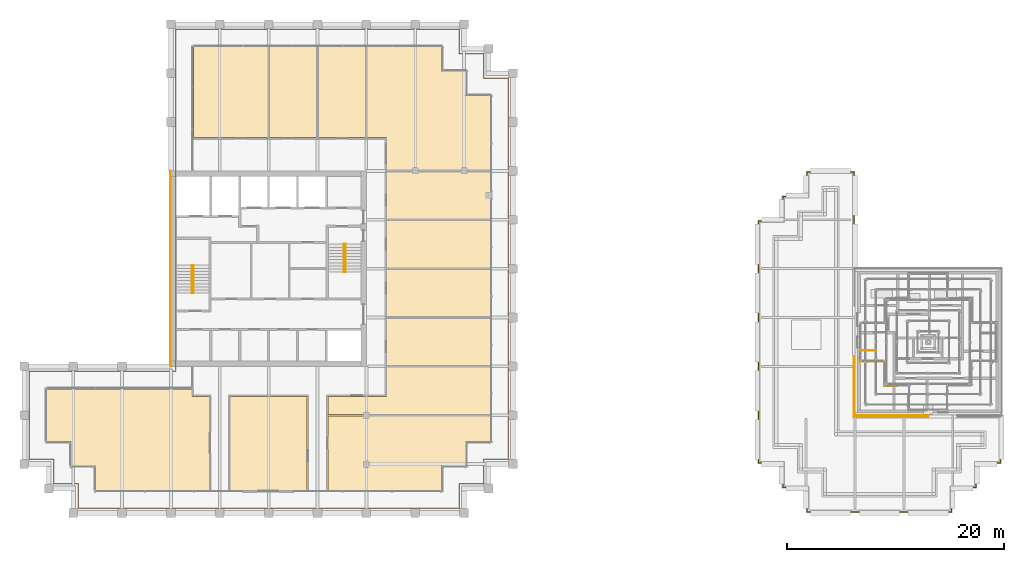
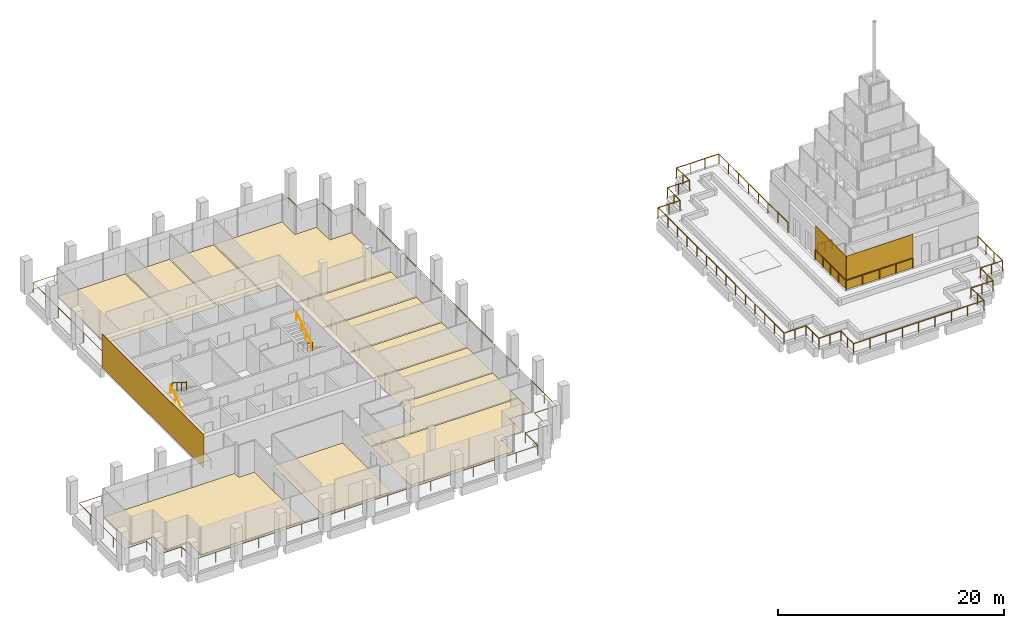
# One storey, part 61 of 62: 15 coverings, 9 railings.
"""IFC4 building model written with IfcOpenShell, lengths in metres."""

from ifc_helpers import new_model, si_unit, direction, frame, origin, origin_2d, place, context, subcontext, project, spatial, polyline, rectangle, circle, outline, extrude, source, transform, mapped, material, layer, layer_set, type_object, element, save


model = new_model("IFC4")

# Units and contexts
model_context = context("Model", 3, precision=1e-05, world=origin(), true_north=direction((0.0, 1.0)))
body_context = subcontext(model_context, "Body", "Model", "MODEL_VIEW")
ifc_project = project(units=[si_unit("LENGTHUNIT", "METRE"), si_unit("AREAUNIT", "SQUARE_METRE"), si_unit("VOLUMEUNIT", "CUBIC_METRE"), si_unit("PLANEANGLEUNIT", "RADIAN"), si_unit("MASSUNIT", "GRAM", prefix="KILO")], contexts=[model_context])

# Site, building, storey
site_placement = place(None, origin())
site = spatial("IfcSite", under=ifc_project, at=site_placement, CompositionType="ELEMENT")
building_placement = place(site_placement, origin())
building = spatial("IfcBuilding", under=site, at=building_placement, Name="Altepetl Exchange Towers", CompositionType="ELEMENT")
storey_placement = place(building_placement, frame((0.0, 0.0, 210.0)))
storey = spatial("IfcBuildingStorey", under=building, at=storey_placement, Name="L53", CompositionType="ELEMENT", Elevation=210.0)

# Coverings
ifc_material_1 = material(Name="Carpet tile")
ifc_layer_1 = layer(ifc_material_1, 0.02001953125)
ifc_layer_set_1 = layer_set([ifc_layer_1], Name="Carpet tile")
covering_type_1 = type_object("IfcCoveringType", Name="Carpet tile floor", PredefinedType="FLOORING", material=ifc_layer_set_1)
covering_1_placement = place(storey_placement, origin())
element("IfcCovering", 1, at=covering_1_placement, inside=storey, type_object=covering_type_1, Name="Family office floor finish A53.04", PredefinedType="FLOORING", context=body_context, shape_type="SweptSolid", body=[
    extrude(outline(polyline([(69.9375, 40.4375), (60.362548828125, 40.4375), (60.362548828125, 37.737548828125), (54.96240234375, 37.737548828125), (54.96240234375, 36.0625), (69.9375, 36.0625), (69.9375, 40.4375)])), origin(), (0.0, 0.0, 1.0), 0.02001953125),
])
covering_2_placement = place(storey_placement, origin())
element("IfcCovering", 2, at=covering_2_placement, inside=storey, type_object=covering_type_1, Name="Open office floor finish A53.05", PredefinedType="FLOORING", context=body_context, shape_type="SweptSolid", body=[
    extrude(outline(polyline([(69.9375, 44.9375), (60.362548828125, 44.9375), (60.362548828125, 40.5625), (69.9375, 40.5625), (69.9375, 44.9375)])), origin(), (0.0, 0.0, 1.0), 0.02001953125),
])
covering_3_placement = place(storey_placement, origin())
element("IfcCovering", 3, at=covering_3_placement, inside=storey, type_object=covering_type_1, Name="Conference room floor finish A53.06", PredefinedType="FLOORING", context=body_context, shape_type="SweptSolid", body=[
    extrude(outline(polyline([(69.9375, 49.4375), (60.362548828125, 49.4375), (60.362548828125, 45.0625), (69.9375, 45.0625), (69.9375, 49.4375)])), origin(), (0.0, 0.0, 1.0), 0.02001953125),
])
covering_4_placement = place(storey_placement, origin())
element("IfcCovering", 4, at=covering_4_placement, inside=storey, type_object=covering_type_1, Name="Open office floor finish A53.07", PredefinedType="FLOORING", context=body_context, shape_type="SweptSolid", body=[
    extrude(outline(polyline([(69.9375, 53.9375), (60.362548828125, 53.9375), (60.362548828125, 49.5625), (69.9375, 49.5625), (69.9375, 53.9375)])), origin(), (0.0, 0.0, 1.0), 0.02001953125),
])
covering_5_placement = place(storey_placement, origin())
element("IfcCovering", 5, at=covering_5_placement, inside=storey, type_object=covering_type_1, Name="Conference room floor finish A53.08", PredefinedType="FLOORING", context=body_context, shape_type="SweptSolid", body=[
    extrude(outline(polyline([(69.9375, 58.4375), (60.362548828125, 58.4375), (60.362548828125, 54.0625), (69.9375, 54.0625), (69.9375, 58.4375)])), origin(), (0.0, 0.0, 1.0), 0.02001953125),
])
covering_6_placement = place(storey_placement, origin())
element("IfcCovering", 6, at=covering_6_placement, inside=storey, type_object=covering_type_1, Name="Quiet room floor finish A53.10", PredefinedType="FLOORING", context=body_context, shape_type="SweptSolid", body=[
    extrude(outline(polyline([(58.4375, 61.5625), (58.4375, 69.9375), (54.0625, 69.9375), (54.0625, 61.5625), (58.4375, 61.5625)])), origin(), (0.0, 0.0, 1.0), 0.02001953125),
])
covering_7_placement = place(storey_placement, origin())
element("IfcCovering", 7, at=covering_7_placement, inside=storey, type_object=covering_type_1, Name="Pantry floor finish A53.11", PredefinedType="FLOORING", context=body_context, shape_type="SweptSolid", body=[
    extrude(outline(polyline([(53.9375, 61.5625), (53.9375, 69.9375), (49.5625, 69.9375), (49.5625, 61.5625), (53.9375, 61.5625)])), origin(), (0.0, 0.0, 1.0), 0.02001953125),
])
covering_8_placement = place(storey_placement, origin())
element("IfcCovering", 8, at=covering_8_placement, inside=storey, type_object=covering_type_1, Name="Open office floor finish A53.12", PredefinedType="FLOORING", context=body_context, shape_type="SweptSolid", body=[
    extrude(outline(polyline([(49.4375, 61.5625), (49.4375, 69.9375), (42.5625, 69.9375), (42.5625, 61.5625), (49.4375, 61.5625)])), origin(), (0.0, 0.0, 1.0), 0.02001953125),
])
ifc_material_2 = material(Name="Cantera stone", Category="masonry")
ifc_layer_2 = layer(ifc_material_2, 0.030029296875)
ifc_layer_set_2 = layer_set([ifc_layer_2], Name="Cantera stone")
covering_type_2 = type_object("IfcCoveringType", Name="Polished stone floor", PredefinedType="FLOORING", material=ifc_layer_set_2)
covering_9_placement = place(storey_placement, origin())
element("IfcCovering", 9, at=covering_9_placement, inside=storey, type_object=covering_type_2, Name="Library floor finish A53.01", PredefinedType="FLOORING", context=body_context, shape_type="SweptSolid", body=[
    extrude(outline(polyline([(31.3125, 33.5625), (31.3125, 31.3125), (33.5625, 31.3125), (33.5625, 29.0625), (44.03759765625, 29.0625), (44.03759765625, 37.737548828125), (42.4375, 37.737548828125), (42.4375, 38.4375), (29.0625, 38.4375), (29.0625, 33.5625), (31.3125, 33.5625)])), origin(), (0.0, 0.0, 1.0), 0.030029296875),
])
covering_10_placement = place(storey_placement, origin())
element("IfcCovering", 10, at=covering_10_placement, inside=storey, type_object=covering_type_2, Name="Library floor finish A53.02", PredefinedType="FLOORING", context=body_context, shape_type="SweptSolid", body=[
    extrude(outline(polyline([(45.96240234375, 37.737548828125), (45.96240234375, 29.0625), (53.03759765625, 29.0625), (53.03759765625, 37.737548828125), (45.96240234375, 37.737548828125)])), origin(), (0.0, 0.0, 1.0), 0.030029296875),
])
covering_11_placement = place(storey_placement, origin())
element("IfcCovering", 11, at=covering_11_placement, inside=storey, type_object=covering_type_2, Name="Library floor finish A53.03", PredefinedType="FLOORING", context=body_context, shape_type="SweptSolid", body=[
    extrude(outline(polyline([(69.9375, 35.9375), (54.96240234375, 35.9375), (54.96240234375, 29.0625), (65.4375, 29.0625), (65.4375, 31.3125), (67.6875, 31.3125), (67.6875, 33.5625), (69.9375, 33.5625), (69.9375, 35.9375)])), origin(), (0.0, 0.0, 1.0), 0.030029296875),
])
covering_12_placement = place(storey_placement, origin())
element("IfcCovering", 12, at=covering_12_placement, inside=storey, type_object=covering_type_2, Name="Library floor finish A53.09", PredefinedType="FLOORING", context=body_context, shape_type="SweptSolid", body=[
    extrude(outline(polyline([(67.6875, 67.6875), (65.4375, 67.6875), (65.4375, 69.9375), (58.5625, 69.9375), (58.5625, 61.5625), (60.362548828125, 61.5625), (60.362548828125, 58.5625), (69.9375, 58.5625), (69.9375, 65.4375), (67.6875, 65.4375), (67.6875, 67.6875)])), origin(), (0.0, 0.0, 1.0), 0.030029296875),
])
ifc_material_3 = material(Name="Cantera limestone cladding", Category="masonry")
ifc_layer_3 = layer(ifc_material_3, 0.0400390625)
ifc_layer_set_3 = layer_set([ifc_layer_3], Name="Cantera limestone cladding")
covering_type_3 = type_object("IfcCoveringType", Name="Stone panel 40 cantera", PredefinedType="CLADDING", material=ifc_layer_set_3)
covering_13_placement = place(storey_placement, frame((40.47998046875, 49.5, 0.0), z_axis=(0.0, 0.0, 1.0), x_axis=(0.0, -1.0, 0.0)))
element("IfcCovering", 13, at=covering_13_placement, inside=storey, type_object=covering_type_3, Name="Stone cladding panel", PredefinedType="CLADDING", context=body_context, shape_type="SweptSolid", body=[
    extrude(rectangle(XDim=18.0, YDim=0.0400390625, at=origin_2d()), origin(), (0.0, 0.0, 1.0), 3.60009765625),
])
covering_14_placement = place(storey_placement, frame((106.89990234375, 35.97998046875, 0.0)))
element("IfcCovering", 14, at=covering_14_placement, inside=storey, type_object=covering_type_3, Name="Stone cladding panel", PredefinedType="CLADDING", context=body_context, shape_type="SweptSolid", body=[
    extrude(rectangle(XDim=6.800048828125, YDim=0.0400390625, at=origin_2d()), origin(), (0.0, 0.0, 1.0), 3.60009765625),
])
covering_15_placement = place(storey_placement, frame((103.47998046875, 38.71240234375, 0.0), z_axis=(0.0, 0.0, 1.0), x_axis=(0.0, -1.0, 0.0)))
element("IfcCovering", 15, at=covering_15_placement, inside=storey, type_object=covering_type_3, Name="Stone cladding panel", PredefinedType="CLADDING", context=body_context, shape_type="SweptSolid", body=[
    extrude(rectangle(XDim=5.425048828125, YDim=0.0400390625, at=origin_2d()), origin(), (0.0, 0.0, 1.0), 3.60009765625),
])

# Railings
ifc_material_4 = material(Name="Steel S355", Category="steel")
railing_type_1 = type_object("IfcRailingType", Name="Guard 1100 steel posts and rail", PredefinedType="GUARDRAIL", material=ifc_material_4)
shared_shape_1 = source(origin(), body_context, "Body", "SweptSolid", [
    extrude(circle(Radius=0.02099609375, at=origin_2d()), origin(), (0.0, 0.0, 1.0), 1.052001953125),
])
railing_1_placement = place(storey_placement, frame((40.949951171875, 40.050048828125, 0.0)))
element("IfcRailing", 16, at=railing_1_placement, inside=storey, type_object=railing_type_1, Name="Loggia guard", PredefinedType="GUARDRAIL", context=body_context, shape_type="SweptSolid", body=[
    extrude(circle(Radius=0.02392578125, at=origin_2d()), frame((0.0, 0.0, 1.076171875), z_axis=(-1.0, 0.0, 0.0), x_axis=(0.0, -1.0, 0.0)), (0.0, 0.0, 1.0), 13.5),
    extrude(circle(Radius=0.02392578125, at=origin_2d()), frame((-13.5, 0.0, 1.076171875), z_axis=(0.0, -1.0, 0.0), x_axis=(1.0, 0.0, 0.0)), (0.0, 0.0, 1.0), 8.10009765625),
    extrude(circle(Radius=0.02392578125, at=origin_2d()), frame((-13.5, -8.10009765625, 1.076171875), z_axis=(1.0, 0.0, 0.0), x_axis=(0.0, 1.0, 0.0)), (0.0, 0.0, 1.0), 2.25),
    extrude(circle(Radius=0.02392578125, at=origin_2d()), frame((-11.25, -8.10009765625, 1.076171875), z_axis=(0.0, -1.0, 0.0), x_axis=(1.0, 0.0, 0.0)), (0.0, 0.0, 1.0), 2.25),
    extrude(circle(Radius=0.02392578125, at=origin_2d()), frame((-11.25, -10.35009765625, 1.076171875), z_axis=(1.0, 0.0, 0.0), x_axis=(0.0, 1.0, 0.0)), (0.0, 0.0, 1.0), 2.25),
    extrude(circle(Radius=0.02392578125, at=origin_2d()), frame((-9.0, -10.35009765625, 1.076171875), z_axis=(0.0, -1.0, 0.0), x_axis=(1.0, 0.0, 0.0)), (0.0, 0.0, 1.0), 2.25),
    extrude(circle(Radius=0.02392578125, at=origin_2d()), frame((-9.0, -12.60009765625, 1.076171875), z_axis=(1.0, 0.0, 0.0), x_axis=(0.0, 1.0, 0.0)), (0.0, 0.0, 1.0), 35.10009765625),
    extrude(circle(Radius=0.02392578125, at=origin_2d()), frame((26.10009765625, -12.60009765625, 1.076171875), z_axis=(0.0, 1.0, 0.0), x_axis=(-1.0, 0.0, 0.0)), (0.0, 0.0, 1.0), 2.25),
    extrude(circle(Radius=0.02392578125, at=origin_2d()), frame((26.10009765625, -10.35009765625, 1.076171875), z_axis=(1.0, 0.0, 0.0), x_axis=(0.0, 1.0, 0.0)), (0.0, 0.0, 1.0), 2.25),
    extrude(circle(Radius=0.02392578125, at=origin_2d()), frame((28.35009765625, -10.35009765625, 1.076171875), z_axis=(0.0, 1.0, 0.0), x_axis=(-1.0, 0.0, 0.0)), (0.0, 0.0, 1.0), 2.25),
    extrude(circle(Radius=0.02392578125, at=origin_2d()), frame((28.35009765625, -8.10009765625, 1.076171875), z_axis=(1.0, 0.0, 0.0), x_axis=(0.0, 1.0, 0.0)), (0.0, 0.0, 1.0), 2.25),
    extrude(circle(Radius=0.02392578125, at=origin_2d()), frame((30.60009765625, -8.10009765625, 1.076171875), z_axis=(0.0, 1.0, 0.0), x_axis=(-1.0, 0.0, 0.0)), (0.0, 0.0, 1.0), 35.10009765625),
    extrude(circle(Radius=0.02392578125, at=origin_2d()), frame((30.60009765625, 27.0, 1.076171875), z_axis=(-1.0, 0.0, 0.0), x_axis=(0.0, -1.0, 0.0)), (0.0, 0.0, 1.0), 2.25),
    extrude(circle(Radius=0.02392578125, at=origin_2d()), frame((28.35009765625, 27.0, 1.076171875), z_axis=(0.0, 1.0, 0.0), x_axis=(-1.0, 0.0, 0.0)), (0.0, 0.0, 1.0), 2.25),
    extrude(circle(Radius=0.02392578125, at=origin_2d()), frame((28.35009765625, 29.25, 1.076171875), z_axis=(-1.0, 0.0, 0.0), x_axis=(0.0, -1.0, 0.0)), (0.0, 0.0, 1.0), 2.25),
    extrude(circle(Radius=0.02392578125, at=origin_2d()), frame((26.10009765625, 29.25, 1.076171875), z_axis=(0.0, 1.0, 0.0), x_axis=(-1.0, 0.0, 0.0)), (0.0, 0.0, 1.0), 2.25),
    extrude(circle(Radius=0.02392578125, at=origin_2d()), frame((26.10009765625, 31.5, 1.076171875), z_axis=(-1.0, 0.0, 0.0), x_axis=(0.0, -1.0, 0.0)), (0.0, 0.0, 1.0), 26.10009765625),
    extrude(circle(Radius=0.02392578125, at=origin_2d()), frame((0.0, 31.5, 1.076171875), z_axis=(0.0, -1.0, 0.0), x_axis=(1.0, 0.0, 0.0)), (0.0, 0.0, 1.0), 31.400146484375),
    mapped(shared_shape_1, transform((0.0, 0.0, 0.0))),
    mapped(shared_shape_1, transform((-2.25, 0.0, 0.0))),
    mapped(shared_shape_1, transform((-4.5, 0.0, 0.0))),
    mapped(shared_shape_1, transform((-6.75, 0.0, 0.0))),
    mapped(shared_shape_1, transform((-9.0, 0.0, 0.0))),
    mapped(shared_shape_1, transform((-11.25, 0.0, 0.0))),
    mapped(shared_shape_1, transform((-13.5, 0.0, 0.0))),
    mapped(shared_shape_1, transform((-13.5, -2.02490234375, 0.0))),
    mapped(shared_shape_1, transform((-13.5, -4.050048828125, 0.0))),
    mapped(shared_shape_1, transform((-13.5, -6.0751953125, 0.0))),
    mapped(shared_shape_1, transform((-13.5, -8.10009765625, 0.0))),
    mapped(shared_shape_1, transform((-11.25, -8.10009765625, 0.0))),
    mapped(shared_shape_1, transform((-11.25, -10.35009765625, 0.0))),
    mapped(shared_shape_1, transform((-9.0, -10.35009765625, 0.0))),
    mapped(shared_shape_1, transform((-9.0, -12.60009765625, 0.0))),
    mapped(shared_shape_1, transform((-6.80615234375, -12.60009765625, 0.0))),
    mapped(shared_shape_1, transform((-4.612548828125, -12.60009765625, 0.0))),
    mapped(shared_shape_1, transform((-2.418701171875, -12.60009765625, 0.0))),
    mapped(shared_shape_1, transform((-0.22509765625, -12.60009765625, 0.0))),
    mapped(shared_shape_1, transform((1.96875, -12.60009765625, 0.0))),
    mapped(shared_shape_1, transform((4.16259765625, -12.60009765625, 0.0))),
    mapped(shared_shape_1, transform((6.356201171875, -12.60009765625, 0.0))),
    mapped(shared_shape_1, transform((8.550048828125, -12.60009765625, 0.0))),
    mapped(shared_shape_1, transform((10.743896484375, -12.60009765625, 0.0))),
    mapped(shared_shape_1, transform((12.9375, -12.60009765625, 0.0))),
    mapped(shared_shape_1, transform((15.13134765625, -12.60009765625, 0.0))),
    mapped(shared_shape_1, transform((17.3251953125, -12.60009765625, 0.0))),
    mapped(shared_shape_1, transform((19.518798828125, -12.60009765625, 0.0))),
    mapped(shared_shape_1, transform((21.712646484375, -12.60009765625, 0.0))),
    mapped(shared_shape_1, transform((23.90625, -12.60009765625, 0.0))),
    mapped(shared_shape_1, transform((26.10009765625, -12.60009765625, 0.0))),
    mapped(shared_shape_1, transform((26.10009765625, -10.35009765625, 0.0))),
    mapped(shared_shape_1, transform((28.35009765625, -10.35009765625, 0.0))),
    mapped(shared_shape_1, transform((28.35009765625, -8.10009765625, 0.0))),
    mapped(shared_shape_1, transform((30.60009765625, -8.10009765625, 0.0))),
    mapped(shared_shape_1, transform((30.60009765625, -5.90625, 0.0))),
    mapped(shared_shape_1, transform((30.60009765625, -3.712646484375, 0.0))),
    mapped(shared_shape_1, transform((30.60009765625, -1.518798828125, 0.0))),
    mapped(shared_shape_1, transform((30.60009765625, 0.6748046875, 0.0))),
    mapped(shared_shape_1, transform((30.60009765625, 2.86865234375, 0.0))),
    mapped(shared_shape_1, transform((30.60009765625, 5.0625, 0.0))),
    mapped(shared_shape_1, transform((30.60009765625, 7.256103515625, 0.0))),
    mapped(shared_shape_1, transform((30.60009765625, 9.449951171875, 0.0))),
    mapped(shared_shape_1, transform((30.60009765625, 11.643798828125, 0.0))),
    mapped(shared_shape_1, transform((30.60009765625, 13.83740234375, 0.0))),
    mapped(shared_shape_1, transform((30.60009765625, 16.03125, 0.0))),
    mapped(shared_shape_1, transform((30.60009765625, 18.22509765625, 0.0))),
    mapped(shared_shape_1, transform((30.60009765625, 20.418701171875, 0.0))),
    mapped(shared_shape_1, transform((30.60009765625, 22.612548828125, 0.0))),
    mapped(shared_shape_1, transform((30.60009765625, 24.80615234375, 0.0))),
    mapped(shared_shape_1, transform((30.60009765625, 27.0, 0.0))),
    mapped(shared_shape_1, transform((28.35009765625, 27.0, 0.0))),
    mapped(shared_shape_1, transform((28.35009765625, 29.25, 0.0))),
    mapped(shared_shape_1, transform((26.10009765625, 29.25, 0.0))),
    mapped(shared_shape_1, transform((26.10009765625, 31.5, 0.0))),
    mapped(shared_shape_1, transform((23.925048828125, 31.5, 0.0))),
    mapped(shared_shape_1, transform((21.75, 31.5, 0.0))),
    mapped(shared_shape_1, transform((19.5751953125, 31.5, 0.0))),
    mapped(shared_shape_1, transform((17.400146484375, 31.5, 0.0))),
    mapped(shared_shape_1, transform((15.22509765625, 31.5, 0.0))),
    mapped(shared_shape_1, transform((13.050048828125, 31.5, 0.0))),
    mapped(shared_shape_1, transform((10.875, 31.5, 0.0))),
    mapped(shared_shape_1, transform((8.699951171875, 31.5, 0.0))),
    mapped(shared_shape_1, transform((6.52490234375, 31.5, 0.0))),
    mapped(shared_shape_1, transform((4.35009765625, 31.5, 0.0))),
    mapped(shared_shape_1, transform((2.175048828125, 31.5, 0.0))),
    mapped(shared_shape_1, transform((0.0, 31.5, 0.0))),
    mapped(shared_shape_1, transform((0.0, 29.257080078125, 0.0))),
    mapped(shared_shape_1, transform((0.0, 27.01416015625, 0.0))),
    mapped(shared_shape_1, transform((0.0, 24.771484375, 0.0))),
    mapped(shared_shape_1, transform((0.0, 22.528564453125, 0.0))),
    mapped(shared_shape_1, transform((0.0, 20.28564453125, 0.0))),
    mapped(shared_shape_1, transform((0.0, 18.042724609375, 0.0))),
    mapped(shared_shape_1, transform((0.0, 15.7998046875, 0.0))),
    mapped(shared_shape_1, transform((0.0, 13.55712890625, 0.0))),
    mapped(shared_shape_1, transform((0.0, 11.314208984375, 0.0))),
    mapped(shared_shape_1, transform((0.0, 9.0712890625, 0.0))),
    mapped(shared_shape_1, transform((0.0, 6.828369140625, 0.0))),
    mapped(shared_shape_1, transform((0.0, 4.585693359375, 0.0))),
    mapped(shared_shape_1, transform((0.0, 2.3427734375, 0.0))),
    mapped(shared_shape_1, transform((0.0, 0.099853515625, 0.0))),
])
railing_2_placement = place(storey_placement, frame((103.949951171875, 41.2275390625, 0.0)))
element("IfcRailing", 17, at=railing_2_placement, inside=storey, type_object=railing_type_1, Name="Loggia guard", PredefinedType="GUARDRAIL", context=body_context, shape_type="SweptSolid", body=[
    extrude(circle(Radius=0.02392578125, at=origin_2d()), frame((0.0, 0.0, 1.076171875), z_axis=(0.0, -1.0, 0.0), x_axis=(1.0, 0.0, 0.0)), (0.0, 0.0, 1.0), 0.277587890625),
    extrude(circle(Radius=0.02392578125, at=origin_2d()), frame((0.0, -0.277587890625, 1.076171875), z_axis=(1.0, 0.0, 0.0), x_axis=(0.0, 1.0, 0.0)), (0.0, 0.0, 1.0), 2.25),
    extrude(circle(Radius=0.02392578125, at=origin_2d()), frame((2.25, -0.277587890625, 1.076171875), z_axis=(0.0, -1.0, 0.0), x_axis=(1.0, 0.0, 0.0)), (0.0, 0.0, 1.0), 2.25),
    extrude(circle(Radius=0.02392578125, at=origin_2d()), frame((2.25, -2.527587890625, 1.076171875), z_axis=(1.0, 0.0, 0.0), x_axis=(0.0, 1.0, 0.0)), (0.0, 0.0, 1.0), 1.140625),
    mapped(shared_shape_1, transform((0.0, 0.0, 0.0))),
    mapped(shared_shape_1, transform((0.0, -0.277587890625, 0.0))),
    mapped(shared_shape_1, transform((2.25, -0.277587890625, 0.0))),
    mapped(shared_shape_1, transform((2.25, -2.527587890625, 0.0))),
    mapped(shared_shape_1, transform((3.390625, -2.527587890625, 0.0))),
])
railing_3_placement = place(storey_placement, frame((103.39990234375, 46.173583984375, 0.0)))
element("IfcRailing", 18, at=railing_3_placement, inside=storey, type_object=railing_type_1, Name="Terrace guard", PredefinedType="GUARDRAIL", context=body_context, shape_type="SweptSolid", body=[
    extrude(circle(Radius=0.02392578125, at=origin_2d()), frame((0.0, 0.0, 1.076171875), z_axis=(0.0, 1.0, 0.0), x_axis=(-1.0, 0.0, 0.0)), (0.0, 0.0, 1.0), 12.226318359375),
    extrude(circle(Radius=0.02392578125, at=origin_2d()), frame((0.0, 12.226318359375, 1.076171875), z_axis=(-1.0, 0.0, 0.0), x_axis=(0.0, -1.0, 0.0)), (0.0, 0.0, 1.0), 4.2998046875),
    extrude(circle(Radius=0.02392578125, at=origin_2d()), frame((-4.2998046875, 12.226318359375, 1.076171875), z_axis=(0.0, -1.0, 0.0), x_axis=(1.0, 0.0, 0.0)), (0.0, 0.0, 1.0), 2.25),
    extrude(circle(Radius=0.02392578125, at=origin_2d()), frame((-4.2998046875, 9.976318359375, 1.076171875), z_axis=(-1.0, 0.0, 0.0), x_axis=(0.0, -1.0, 0.0)), (0.0, 0.0, 1.0), 2.25),
    extrude(circle(Radius=0.02392578125, at=origin_2d()), frame((-6.5498046875, 9.976318359375, 1.076171875), z_axis=(0.0, -1.0, 0.0), x_axis=(1.0, 0.0, 0.0)), (0.0, 0.0, 1.0), 2.25),
    extrude(circle(Radius=0.02392578125, at=origin_2d()), frame((-6.5498046875, 7.726318359375, 1.076171875), z_axis=(-1.0, 0.0, 0.0), x_axis=(0.0, -1.0, 0.0)), (0.0, 0.0, 1.0), 2.25),
    extrude(circle(Radius=0.02392578125, at=origin_2d()), frame((-8.7998046875, 7.726318359375, 1.076171875), z_axis=(0.0, -1.0, 0.0), x_axis=(1.0, 0.0, 0.0)), (0.0, 0.0, 1.0), 22.2998046875),
    extrude(circle(Radius=0.02392578125, at=origin_2d()), frame((-8.7998046875, -14.573486328125, 1.076171875), z_axis=(1.0, 0.0, 0.0), x_axis=(0.0, 1.0, 0.0)), (0.0, 0.0, 1.0), 2.25),
    extrude(circle(Radius=0.02392578125, at=origin_2d()), frame((-6.5498046875, -14.573486328125, 1.076171875), z_axis=(0.0, -1.0, 0.0), x_axis=(1.0, 0.0, 0.0)), (0.0, 0.0, 1.0), 2.25),
    extrude(circle(Radius=0.02392578125, at=origin_2d()), frame((-6.5498046875, -16.823486328125, 1.076171875), z_axis=(1.0, 0.0, 0.0), x_axis=(0.0, 1.0, 0.0)), (0.0, 0.0, 1.0), 2.25),
    extrude(circle(Radius=0.02392578125, at=origin_2d()), frame((-4.2998046875, -16.823486328125, 1.076171875), z_axis=(0.0, -1.0, 0.0), x_axis=(1.0, 0.0, 0.0)), (0.0, 0.0, 1.0), 2.25),
    extrude(circle(Radius=0.02392578125, at=origin_2d()), frame((-4.2998046875, -19.073486328125, 1.076171875), z_axis=(1.0, 0.0, 0.0), x_axis=(0.0, 1.0, 0.0)), (0.0, 0.0, 1.0), 13.2998046875),
    extrude(circle(Radius=0.02392578125, at=origin_2d()), frame((9.0, -19.073486328125, 1.076171875), z_axis=(0.0, 1.0, 0.0), x_axis=(-1.0, 0.0, 0.0)), (0.0, 0.0, 1.0), 2.25),
    extrude(circle(Radius=0.02392578125, at=origin_2d()), frame((9.0, -16.823486328125, 1.076171875), z_axis=(1.0, 0.0, 0.0), x_axis=(0.0, 1.0, 0.0)), (0.0, 0.0, 1.0), 2.25),
    extrude(circle(Radius=0.02392578125, at=origin_2d()), frame((11.25, -16.823486328125, 1.076171875), z_axis=(0.0, 1.0, 0.0), x_axis=(-1.0, 0.0, 0.0)), (0.0, 0.0, 1.0), 2.25),
    extrude(circle(Radius=0.02392578125, at=origin_2d()), frame((11.25, -14.573486328125, 1.076171875), z_axis=(1.0, 0.0, 0.0), x_axis=(0.0, 1.0, 0.0)), (0.0, 0.0, 1.0), 2.25),
    extrude(circle(Radius=0.02392578125, at=origin_2d()), frame((13.5, -14.573486328125, 1.076171875), z_axis=(0.0, 1.0, 0.0), x_axis=(-1.0, 0.0, 0.0)), (0.0, 0.0, 1.0), 4.39990234375),
    mapped(shared_shape_1, transform((0.0, 0.0, 0.0))),
    mapped(shared_shape_1, transform((0.0, 1.74658203125, 0.0))),
    mapped(shared_shape_1, transform((0.0, 3.4931640625, 0.0))),
    mapped(shared_shape_1, transform((0.0, 5.23974609375, 0.0))),
    mapped(shared_shape_1, transform((0.0, 6.986572265625, 0.0))),
    mapped(shared_shape_1, transform((0.0, 8.733154296875, 0.0))),
    mapped(shared_shape_1, transform((0.0, 10.479736328125, 0.0))),
    mapped(shared_shape_1, transform((0.0, 12.226318359375, 0.0))),
    mapped(shared_shape_1, transform((-1.433349609375, 12.226318359375, 0.0))),
    mapped(shared_shape_1, transform((-2.866455078125, 12.226318359375, 0.0))),
    mapped(shared_shape_1, transform((-4.2998046875, 12.226318359375, 0.0))),
    mapped(shared_shape_1, transform((-4.2998046875, 11.101318359375, 0.0))),
    mapped(shared_shape_1, transform((-4.2998046875, 9.976318359375, 0.0))),
    mapped(shared_shape_1, transform((-5.4248046875, 9.976318359375, 0.0))),
    mapped(shared_shape_1, transform((-6.5498046875, 9.976318359375, 0.0))),
    mapped(shared_shape_1, transform((-6.5498046875, 8.851318359375, 0.0))),
    mapped(shared_shape_1, transform((-6.5498046875, 7.726318359375, 0.0))),
    mapped(shared_shape_1, transform((-7.6748046875, 7.726318359375, 0.0))),
    mapped(shared_shape_1, transform((-8.7998046875, 7.726318359375, 0.0))),
    mapped(shared_shape_1, transform((-8.7998046875, 6.010986328125, 0.0))),
    mapped(shared_shape_1, transform((-8.7998046875, 4.295654296875, 0.0))),
    mapped(shared_shape_1, transform((-8.7998046875, 2.580322265625, 0.0))),
    mapped(shared_shape_1, transform((-8.7998046875, 0.86474609375, 0.0))),
    mapped(shared_shape_1, transform((-8.7998046875, -0.8505859375, 0.0))),
    mapped(shared_shape_1, transform((-8.7998046875, -2.56591796875, 0.0))),
    mapped(shared_shape_1, transform((-8.7998046875, -4.28125, 0.0))),
    mapped(shared_shape_1, transform((-8.7998046875, -5.99658203125, 0.0))),
    mapped(shared_shape_1, transform((-8.7998046875, -7.7119140625, 0.0))),
    mapped(shared_shape_1, transform((-8.7998046875, -9.427490234375, 0.0))),
    mapped(shared_shape_1, transform((-8.7998046875, -11.142822265625, 0.0))),
    mapped(shared_shape_1, transform((-8.7998046875, -12.858154296875, 0.0))),
    mapped(shared_shape_1, transform((-8.7998046875, -14.573486328125, 0.0))),
    mapped(shared_shape_1, transform((-7.6748046875, -14.573486328125, 0.0))),
    mapped(shared_shape_1, transform((-6.5498046875, -14.573486328125, 0.0))),
    mapped(shared_shape_1, transform((-6.5498046875, -15.698486328125, 0.0))),
    mapped(shared_shape_1, transform((-6.5498046875, -16.823486328125, 0.0))),
    mapped(shared_shape_1, transform((-5.4248046875, -16.823486328125, 0.0))),
    mapped(shared_shape_1, transform((-4.2998046875, -16.823486328125, 0.0))),
    mapped(shared_shape_1, transform((-4.2998046875, -17.948486328125, 0.0))),
    mapped(shared_shape_1, transform((-4.2998046875, -19.073486328125, 0.0))),
    mapped(shared_shape_1, transform((-2.63720703125, -19.073486328125, 0.0))),
    mapped(shared_shape_1, transform((-0.974853515625, -19.073486328125, 0.0))),
    mapped(shared_shape_1, transform((0.6875, -19.073486328125, 0.0))),
    mapped(shared_shape_1, transform((2.35009765625, -19.073486328125, 0.0))),
    mapped(shared_shape_1, transform((4.0126953125, -19.073486328125, 0.0))),
    mapped(shared_shape_1, transform((5.675048828125, -19.073486328125, 0.0))),
    mapped(shared_shape_1, transform((7.33740234375, -19.073486328125, 0.0))),
    mapped(shared_shape_1, transform((9.0, -19.073486328125, 0.0))),
    mapped(shared_shape_1, transform((9.0, -17.948486328125, 0.0))),
    mapped(shared_shape_1, transform((9.0, -16.823486328125, 0.0))),
    mapped(shared_shape_1, transform((10.125, -16.823486328125, 0.0))),
    mapped(shared_shape_1, transform((11.25, -16.823486328125, 0.0))),
    mapped(shared_shape_1, transform((11.25, -15.698486328125, 0.0))),
    mapped(shared_shape_1, transform((11.25, -14.573486328125, 0.0))),
    mapped(shared_shape_1, transform((12.375, -14.573486328125, 0.0))),
    mapped(shared_shape_1, transform((13.5, -14.573486328125, 0.0))),
    mapped(shared_shape_1, transform((13.5, -13.10693359375, 0.0))),
    mapped(shared_shape_1, transform((13.5, -11.64013671875, 0.0))),
    mapped(shared_shape_1, transform((13.5, -10.173583984375, 0.0))),
])
railing_4_placement = place(storey_placement, frame((110.2265625, 35.89990234375, 0.0)))
element("IfcRailing", 19, at=railing_4_placement, inside=storey, type_object=railing_type_1, Name="Terrace guard", PredefinedType="GUARDRAIL", context=body_context, shape_type="SweptSolid", body=[
    extrude(circle(Radius=0.02392578125, at=origin_2d()), frame((0.0, 0.0, 1.076171875), z_axis=(-1.0, 0.0, 0.0), x_axis=(0.0, -1.0, 0.0)), (0.0, 0.0, 1.0), 6.82666015625),
    extrude(circle(Radius=0.02392578125, at=origin_2d()), frame((-6.82666015625, 0.0, 1.076171875), z_axis=(0.0, 1.0, 0.0), x_axis=(-1.0, 0.0, 0.0)), (0.0, 0.0, 1.0), 5.45166015625),
    mapped(shared_shape_1, transform((0.0, 0.0, 0.0))),
    mapped(shared_shape_1, transform((-1.70654296875, 0.0, 0.0))),
    mapped(shared_shape_1, transform((-3.413330078125, 0.0, 0.0))),
    mapped(shared_shape_1, transform((-5.1201171875, 0.0, 0.0))),
    mapped(shared_shape_1, transform((-6.82666015625, 0.0, 0.0))),
    mapped(shared_shape_1, transform((-6.82666015625, 1.36279296875, 0.0))),
    mapped(shared_shape_1, transform((-6.82666015625, 2.725830078125, 0.0))),
    mapped(shared_shape_1, transform((-6.82666015625, 4.0888671875, 0.0))),
    mapped(shared_shape_1, transform((-6.82666015625, 5.45166015625, 0.0))),
])
ifc_material_5 = material(Name="Steel", Category="steel")
railing_type_2 = type_object("IfcRailingType", Name="Stair handrail 50 steel tube", PredefinedType="HANDRAIL", material=ifc_material_5)
shared_shape_2 = source(origin(), body_context, "Body", "SweptSolid", [
    extrude(circle(Radius=0.02099609375, at=origin_2d()), origin(), (0.0, 0.0, 1.0), 0.851806640625),
])
railing_5_placement = place(storey_placement, frame((42.419921875, 47.25, 0.179931640625)))
element("IfcRailing", 20, at=railing_5_placement, inside=storey, type_object=railing_type_2, Name="Stair handrail", PredefinedType="HANDRAIL", context=body_context, shape_type="SweptSolid", body=[
    extrude(circle(Radius=0.02392578125, at=origin_2d()), frame((0.0, 0.0, 0.8759765625), z_axis=(0.0, 0.845465955043, 0.534029323973), x_axis=(-1.0, 0.0, 0.0)), (0.0, 0.0, 1.0), 3.03369140625),
    mapped(shared_shape_2, transform((0.0, 0.0, 0.0))),
    mapped(shared_shape_2, transform((0.0, 0.85498046875, 0.5400390625))),
    mapped(shared_shape_2, transform((0.0, 1.7099609375, 1.080078125))),
    mapped(shared_shape_2, transform((0.0, 2.56494140625, 1.6201171875))),
])
for number, where, name in (
    (21, (42.580078125, 49.81494140625, 1.97998046875), "Stair handrail"),
    (22, (56.580078125, 51.75, 0.179931640625), "Stair handrail"),
):
    element("IfcRailing", number, at=place(storey_placement, frame(where)), inside=storey, type_object=railing_type_2, Name=name, PredefinedType="HANDRAIL", context=body_context, shape_type="SweptSolid", body=[
        extrude(circle(Radius=0.02392578125, at=origin_2d()), frame((0.0, 0.0, 0.8759765625), z_axis=(0.0, -0.845465955043, 0.534029323973), x_axis=(1.0, 0.0, 0.0)), (0.0, 0.0, 1.0), 3.03369140625),
        mapped(shared_shape_2, transform((0.0, 0.0, 0.0))),
        mapped(shared_shape_2, transform((0.0, -0.85498046875, 0.5400390625))),
        mapped(shared_shape_2, transform((0.0, -1.7099609375, 1.080078125))),
        mapped(shared_shape_2, transform((0.0, -2.56494140625, 1.6201171875))),
    ])
railing_6_placement = place(storey_placement, frame((56.419921875, 49.18505859375, 1.97998046875)))
element("IfcRailing", 23, at=railing_6_placement, inside=storey, type_object=railing_type_2, Name="Stair handrail", PredefinedType="HANDRAIL", context=body_context, shape_type="SweptSolid", body=[
    extrude(circle(Radius=0.02392578125, at=origin_2d()), frame((0.0, 0.0, 0.8759765625), z_axis=(0.0, 0.845465955043, 0.534029323973), x_axis=(-1.0, 0.0, 0.0)), (0.0, 0.0, 1.0), 3.03369140625),
    mapped(shared_shape_2, transform((0.0, 0.0, 0.0))),
    mapped(shared_shape_2, transform((0.0, 0.85498046875, 0.5400390625))),
    mapped(shared_shape_2, transform((0.0, 1.7099609375, 1.080078125))),
    mapped(shared_shape_2, transform((0.0, 2.56494140625, 1.6201171875))),
])
railing_type_3 = type_object("IfcRailingType", Name="Stair well guard 1100 steel", PredefinedType="GUARDRAIL", material=ifc_material_5)
shared_shape_3 = source(origin(), body_context, "Body", "SweptSolid", [
    extrude(circle(Radius=0.02099609375, at=origin_2d()), origin(), (0.0, 0.0, 1.0), 1.052001953125),
])
railing_7_placement = place(storey_placement, frame((104.0, 41.949951171875, 0.0)))
element("IfcRailing", 24, at=railing_7_placement, inside=storey, type_object=railing_type_3, Name="Stair well guard", PredefinedType="GUARDRAIL", context=body_context, shape_type="SweptSolid", body=[
    extrude(circle(Radius=0.02392578125, at=origin_2d()), frame((0.0, 0.0, 1.076171875), z_axis=(1.0, 0.0, 0.0), x_axis=(0.0, 1.0, 0.0)), (0.0, 0.0, 1.0), 1.449951171875),
    mapped(shared_shape_3, transform((0.0, 0.0, 0.0))),
    mapped(shared_shape_3, transform((0.72509765625, 0.0, 0.0))),
    mapped(shared_shape_3, transform((1.449951171875, 0.0, 0.0))),
])

save(model, "model.ifc")
